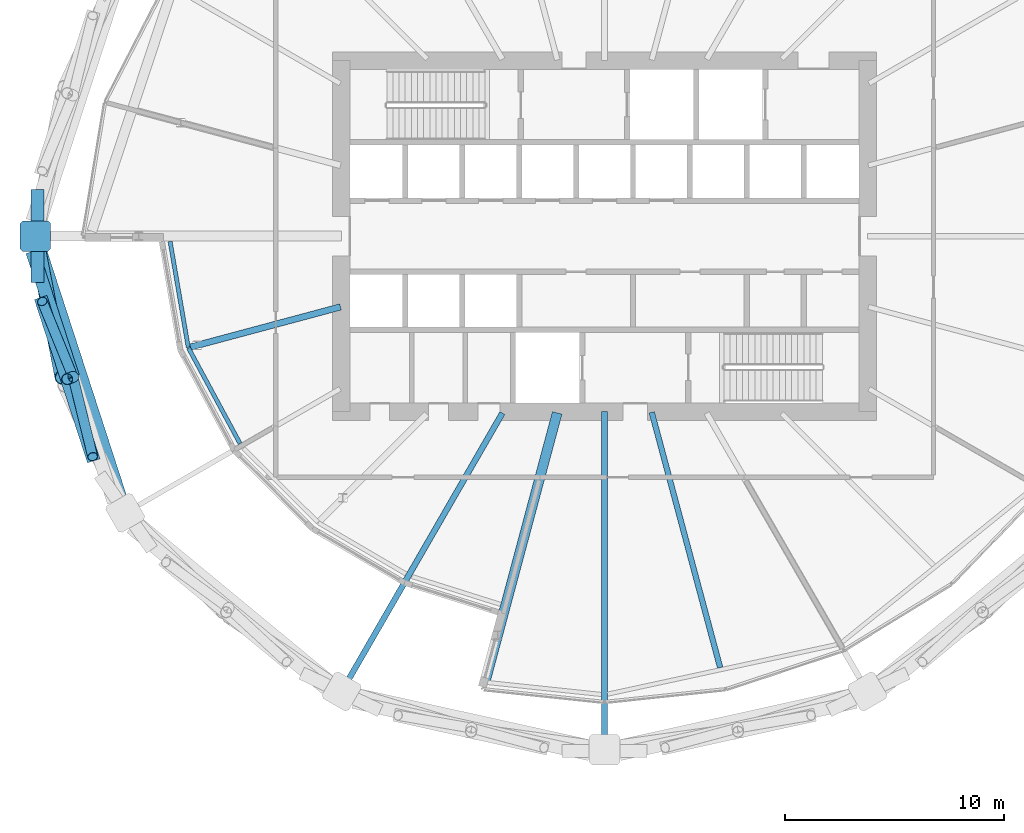
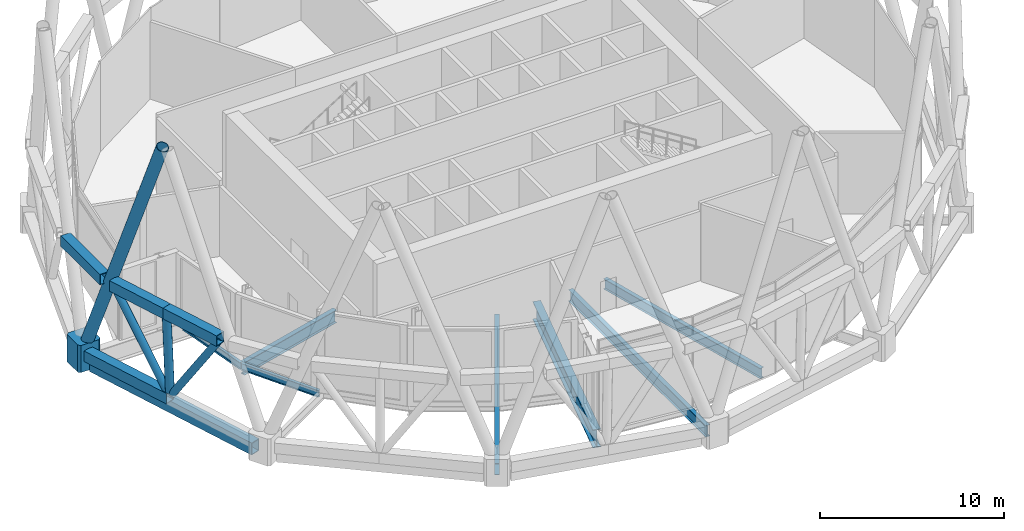
# One storey, part 5 of 33: 9 members, 8 beams.
"""IFC4 building model written with IfcOpenShell, lengths in metres."""

from ifc_helpers import new_model, si_unit, direction, frame, origin, origin_2d, place, context, subcontext, project, spatial, polyline, hollow_rectangle, hollow_circle, i_section, outline, extrude, material, material_profile, profile_set, type_object, element, save


model = new_model("IFC4")

# Units and contexts
model_context = context("Model", 3, precision=1e-05, world=origin(), true_north=direction((0.0, 1.0)))
body_context = subcontext(model_context, "Body", "Model", "MODEL_VIEW")
ifc_project = project(units=[si_unit("LENGTHUNIT", "METRE"), si_unit("AREAUNIT", "SQUARE_METRE"), si_unit("VOLUMEUNIT", "CUBIC_METRE"), si_unit("PLANEANGLEUNIT", "RADIAN"), si_unit("MASSUNIT", "GRAM", prefix="KILO")], contexts=[model_context])

# Site, building, storey
site_placement = place(None, origin())
site = spatial("IfcSite", under=ifc_project, at=site_placement, CompositionType="ELEMENT")
building_placement = place(site_placement, origin())
building = spatial("IfcBuilding", under=site, at=building_placement, Name="Rimbun Link Towers", CompositionType="ELEMENT")
storey_placement = place(building_placement, frame((0.0, 0.0, 75.60009765625)))
storey = spatial("IfcBuildingStorey", under=building, at=storey_placement, Name="L18", CompositionType="ELEMENT", Elevation=75.60009765625)

# Members
ifc_material_1 = material(Name="Steel S460N", Category="steel")
ifc_material_profile_1 = material_profile(ifc_material_1, hollow_rectangle(XDim=0.60009765625, YDim=0.699951171875, WallThickness=0.034912109375, at=origin_2d()), Name="Belt truss chord BOX 600x700x35")
ifc_profile_set_1 = profile_set([ifc_material_profile_1], Name="Steel S460N")
member_type_1 = type_object("IfcMemberType", Name="Belt truss chord BOX 600x700x35", PredefinedType="CHORD", material=ifc_profile_set_1)
member_1_placement = place(storey_placement, frame((-57.614501953125, 2.12451171875, 6.0), z_axis=(0.0, -1.0, 0.0), x_axis=(1.0, 0.0, 0.0)))
element("IfcMember", 1, at=member_1_placement, inside=storey, type_object=member_type_1, Name="Belt truss chord T1 L18 top 06", PredefinedType="CHORD", context=body_context, shape_type="SweptSolid", body=[
    extrude(hollow_rectangle(XDim=0.60009765625, YDim=0.699951171875, WallThickness=0.034912109375, at=origin_2d()), origin(), (0.0, 0.0, 1.0), 4.2490234375),
])
member_2_placement = place(storey_placement, frame((-57.845703125, -0.70263671875, 0.18994140625), z_axis=(0.309112714811, -0.951025409514, 0.0), x_axis=(0.951025409514, 0.309112714811, 0.0)))
element("IfcMember", 2, at=member_2_placement, inside=storey, type_object=member_type_1, Name="Belt truss chord T1 L18 bottom 12", PredefinedType="CHORD", context=body_context, shape_type="SweptSolid", body=[
    extrude(hollow_rectangle(XDim=0.60009765625, YDim=0.699951171875, WallThickness=0.034912109375, at=origin_2d()), origin(), (0.0, 0.0, 1.0), 6.0087890625),
])
member_3_placement = place(storey_placement, frame((-57.46435546875, -2.797607421875, 6.0), z_axis=(0.309055057174, -0.9510441481, 0.0), x_axis=(0.9510441481, 0.309055057174, 0.0)))
element("IfcMember", 3, at=member_3_placement, inside=storey, type_object=member_type_1, Name="Belt truss chord T1 L18 top 24", PredefinedType="CHORD", context=body_context, shape_type="SweptSolid", body=[
    extrude(hollow_rectangle(XDim=0.60009765625, YDim=0.699951171875, WallThickness=0.034912109375, at=origin_2d()), origin(), (0.0, 0.0, 1.0), 3.915771484375),
])
member_4_placement = place(storey_placement, frame((-56.254150390625, -6.521728515625, 6.0), z_axis=(0.309111447647, -0.951025821381, 0.0), x_axis=(0.951025821381, 0.309111447647, 0.0)))
element("IfcMember", 4, at=member_4_placement, inside=storey, type_object=member_type_1, Name="Belt truss chord T1 L18 top 25", PredefinedType="CHORD", context=body_context, shape_type="SweptSolid", body=[
    extrude(hollow_rectangle(XDim=0.60009765625, YDim=0.699951171875, WallThickness=0.034912109375, at=origin_2d()), origin(), (0.0, 0.0, 1.0), 3.916015625),
])
ifc_material_2 = material(Name="Steel S355J2H", Category="steel")
ifc_material_profile_2 = material_profile(ifc_material_2, hollow_circle(Radius=0.228515625, WallThickness=0.01611328125, at=origin_2d()), Name="Belt truss diagonal CHS 457x16")
ifc_profile_set_2 = profile_set([ifc_material_profile_2], Name="Steel S355J2H")
member_type_2 = type_object("IfcMemberType", Name="Belt truss diagonal CHS 457x16", PredefinedType="BRACE", material=ifc_profile_set_2)
member_5_placement = place(storey_placement, frame((-56.062255859375, -6.236328125, 0.480224609375), z_axis=(-0.210764797167, 0.51689863139, 0.829695127828), x_axis=(-0.925981862555, -0.377567994167, 0.0)))
element("IfcMember", 5, at=member_5_placement, inside=storey, type_object=member_type_2, Name="Belt truss diagonal T1 L18 12", PredefinedType="BRACE", context=body_context, shape_type="SweptSolid", body=[
    extrude(hollow_circle(Radius=0.228515625, WallThickness=0.01611328125, at=origin_2d()), origin(), (0.0, 0.0, 1.0), 6.302734375),
])
member_6_placement = place(storey_placement, frame((-55.94140625, -6.608154296875, 0.4794921875), z_axis=(0.134549791341, -0.545227885807, 0.827419425798), x_axis=(0.970874258335, 0.23958959598, 0.0)))
element("IfcMember", 6, at=member_6_placement, inside=storey, type_object=member_type_2, Name="Belt truss diagonal T1 L18 13", PredefinedType="BRACE", context=body_context, shape_type="SweptSolid", body=[
    extrude(hollow_circle(Radius=0.228515625, WallThickness=0.01611328125, at=origin_2d()), origin(), (0.0, 0.0, 1.0), 6.32177734375),
])
ifc_material_3 = material(Name="Steel S355J2H", Category="steel")
ifc_material_profile_3 = material_profile(ifc_material_3, hollow_circle(Radius=0.25390625, WallThickness=0.02001953125, at=origin_2d()), Name="Belt truss strut CHS 508x20")
ifc_profile_set_3 = profile_set([ifc_material_profile_3], Name="Steel S355J2H")
member_type_3 = type_object("IfcMemberType", Name="Belt truss strut CHS 508x20", PredefinedType="STRUT", material=ifc_profile_set_3)
member_7_placement = place(storey_placement, frame((-55.98828125, -6.417236328125, 0.539794921875), z_axis=(-0.051946987184, -0.020416263099, 0.998441128321), x_axis=(0.365784577752, -0.930699544794, 0.0)))
element("IfcMember", 7, at=member_7_placement, inside=storey, type_object=member_type_3, Name="Belt truss strut T1 L18 06", PredefinedType="STRUT", context=body_context, shape_type="SweptSolid", body=[
    extrude(hollow_circle(Radius=0.25390625, WallThickness=0.02001953125, at=origin_2d()), origin(), (0.0, 0.0, 1.0), 5.1181640625),
])
ifc_material_4 = material(Name="Steel S460NH", Category="steel")
ifc_material_profile_4 = material_profile(ifc_material_4, hollow_circle(Radius=0.355712890625, WallThickness=0.031982421875, at=origin_2d()), Name="Diagrid diagonal CHS 711x32")
ifc_profile_set_4 = profile_set([ifc_material_profile_4], Name="Steel S460NH")
member_type_4 = type_object("IfcMemberType", Name="Diagrid diagonal CHS 711x32", PredefinedType="BRACE", material=ifc_profile_set_4)
member_8_placement = place(storey_placement, frame((-57.671630859375, -0.17724609375, 0.46630859375), z_axis=(0.068592129446, -0.354381146913, 0.932581965561), x_axis=(0.981778697984, 0.190027861601, 0.0)))
element("IfcMember", 8, at=member_8_placement, inside=storey, type_object=member_type_4, Name="Diagrid diagonal T1 L18-L22 12b", PredefinedType="BRACE", context=body_context, shape_type="SweptSolid", body=[
    extrude(hollow_circle(Radius=0.355712890625, WallThickness=0.031982421875, at=origin_2d()), origin(), (0.0, 0.0, 1.0), 17.65771484375),
])
ifc_material_5 = material(Name="Cast steel G20Mn5+QT, Rp0.2 300 MPa", Category="steel")
ifc_material_profile_5 = material_profile(ifc_material_5, outline(polyline([(0.699951171875, -0.570068359375), (0.699951171875, 0.570068359375), (0.570068359375, 0.699951171875), (-0.570068359375, 0.699951171875), (-0.699951171875, 0.570068359375), (-0.699951171875, -0.570068359375), (-0.570068359375, -0.699951171875), (0.570068359375, -0.699951171875), (0.699951171875, -0.570068359375)])), Name="NODE 1400x1400")
ifc_profile_set_5 = profile_set([ifc_material_profile_5], Name="Cast steel G20Mn5+QT, Rp0.2 300 MPa")
member_type_5 = type_object("IfcMemberType", Name="Diagrid node cast 1400", PredefinedType="USERDEFINED", material=ifc_profile_set_5)
member_9_placement = place(storey_placement, frame((-57.705810546875, 0.0, -0.900146484375), z_axis=(0.0, 0.0, 1.0), x_axis=(-1.0, 0.0, 0.0)))
element("IfcMember", 9, at=member_9_placement, inside=storey, type_object=member_type_5, Name="Diagrid node L18 12", ObjectType="Diagrid node", PredefinedType="USERDEFINED", context=body_context, shape_type="SweptSolid", body=[
    extrude(outline(polyline([(0.699951171875, -0.570068359375), (0.699951171875, 0.570068359375), (0.570068359375, 0.699951171875), (-0.570068359375, 0.699951171875), (-0.699951171875, 0.570068359375), (-0.699951171875, -0.570068359375), (-0.570068359375, -0.699951171875), (0.570068359375, -0.699951171875), (0.699951171875, -0.570068359375)])), origin(), (0.0, 0.0, 1.0), 1.800048828125),
])

# Beams
ifc_material_6 = material(Name="Steel S355J2", Category="steel")
ifc_material_profile_6 = material_profile(ifc_material_6, hollow_rectangle(XDim=0.60009765625, YDim=0.800048828125, WallThickness=0.0400390625, at=origin_2d()), Name="Exoskeleton ring girder BOX 600x800x40")
ifc_profile_set_6 = profile_set([ifc_material_profile_6], Name="Steel S355J2")
beam_type_1 = type_object("IfcBeamType", Name="Exoskeleton ring girder BOX 600x800x40", PredefinedType="BEAM", material=ifc_profile_set_6)
beam_1_placement = place(storey_placement, frame((-57.489501953125, -0.665771484375, -0.56005859375), z_axis=(0.309072117374, -0.951038603981, 0.0), x_axis=(0.951038603981, 0.309072117374, 0.0)))
element("IfcBeam", 10, at=beam_1_placement, inside=storey, type_object=beam_type_1, Name="Exoskeleton ring girder L18 06", PredefinedType="BEAM", context=body_context, shape_type="SweptSolid", body=[
    extrude(hollow_rectangle(XDim=0.60009765625, YDim=0.800048828125, WallThickness=0.0400390625, at=origin_2d()), origin(), (0.0, 0.0, 1.0), 11.86767578125),
])
ifc_material_7 = material(Name="Steel S355J2", Category="steel")
ifc_material_profile_7 = material_profile(ifc_material_7, i_section(OverallWidth=0.449951171875, OverallDepth=1.199951171875, WebThickness=0.030029296875, FlangeThickness=0.044921875, at=origin_2d()), Name="PG 1200x450x30/45")
ifc_profile_set_7 = profile_set([ifc_material_profile_7], Name="Steel S355J2")
beam_type_2 = type_object("IfcBeamType", Name="PG 1200x450x30/45", PredefinedType="BEAM", material=ifc_profile_set_7)
beam_2_placement = place(storey_placement, frame((-33.909423828125, -8.05908203125, -0.800048828125), z_axis=(-0.258813780214, -0.965927236996, 0.0), x_axis=(0.965927236996, -0.258813780214, 0.0)))
element("IfcBeam", 11, at=beam_2_placement, inside=storey, type_object=beam_type_2, Name="Radial beam T1 L18 17", PredefinedType="BEAM", context=body_context, shape_type="SweptSolid", body=[
    extrude(i_section(OverallWidth=0.449951171875, OverallDepth=1.199951171875, WebThickness=0.030029296875, FlangeThickness=0.044921875, at=origin_2d()), origin(), (0.0, 0.0, 1.0), 12.61767578125),
])
ifc_material_8 = material(Name="Steel S355J2", Category="steel")
ifc_material_profile_8 = material_profile(ifc_material_8, i_section(OverallWidth=0.18994140625, OverallDepth=0.453369140625, WebThickness=0.008544921875, FlangeThickness=0.0126953125, at=origin_2d()), Name="UB 457x191x67")
ifc_profile_set_8 = profile_set([ifc_material_profile_8], Name="Steel S355J2")
beam_type_3 = type_object("IfcBeamType", Name="UB 457x191x67", PredefinedType="BEAM", material=ifc_profile_set_8)
beam_3_placement = place(storey_placement, frame((-51.560791015625, -0.241943359375, -0.4267578125), z_axis=(0.169028840264, -0.985611105436, 0.0), x_axis=(0.985611105436, 0.169028840264, 0.0)))
element("IfcBeam", 12, at=beam_3_placement, inside=storey, type_object=beam_type_3, Name="Edge beam T1 L18 12 recess", PredefinedType="BEAM", context=body_context, shape_type="SweptSolid", body=[
    extrude(i_section(OverallWidth=0.18994140625, OverallDepth=0.453369140625, WebThickness=0.008544921875, FlangeThickness=0.0126953125, at=origin_2d()), origin(), (0.0, 0.0, 1.0), 4.89794921875),
])
beam_4_placement = place(storey_placement, frame((-50.722412109375, -5.100341796875, -0.4267578125), z_axis=(0.47475508165, -0.880117953713, 0.0), x_axis=(0.880117953713, 0.47475508165, 0.0)))
element("IfcBeam", 13, at=beam_4_placement, inside=storey, type_object=beam_type_3, Name="Edge beam T1 L18 13 recess", PredefinedType="BEAM", context=body_context, shape_type="SweptSolid", body=[
    extrude(i_section(OverallWidth=0.18994140625, OverallDepth=0.453369140625, WebThickness=0.008544921875, FlangeThickness=0.0126953125, at=origin_2d()), origin(), (0.0, 0.0, 1.0), 4.95361328125),
])
ifc_material_9 = material(Name="Steel S355J2", Category="steel")
ifc_material_profile_9 = material_profile(ifc_material_9, i_section(OverallWidth=0.253662109375, OverallDepth=0.68359375, WebThickness=0.012451171875, FlangeThickness=0.01904296875, at=origin_2d()), Name="UB 686x254x140")
ifc_profile_set_9 = profile_set([ifc_material_profile_9], Name="Steel S355J2")
beam_type_4 = type_object("IfcBeamType", Name="UB 686x254x140", PredefinedType="BEAM", material=ifc_profile_set_9)
beam_5_placement = place(storey_placement, frame((-29.597412109375, -8.03369140625, -0.5419921875), z_axis=(0.258829908423, -0.965922915406, 0.0), x_axis=(0.965922915406, 0.258829908423, 0.0)))
element("IfcBeam", 14, at=beam_5_placement, inside=storey, type_object=beam_type_4, Name="Radial beam T1 L18 19", PredefinedType="BEAM", context=body_context, shape_type="SweptSolid", body=[
    extrude(i_section(OverallWidth=0.253662109375, OverallDepth=0.68359375, WebThickness=0.012451171875, FlangeThickness=0.01904296875, at=origin_2d()), origin(), (0.0, 0.0, 1.0), 12.052734375),
])
ifc_material_10 = material(Name="Steel S355J2", Category="steel")
ifc_material_profile_10 = material_profile(ifc_material_10, i_section(OverallWidth=0.2666015625, OverallDepth=0.76220703125, WebThickness=0.014404296875, FlangeThickness=0.021484375, at=origin_2d()), Name="UB 762x267x173")
ifc_profile_set_10 = profile_set([ifc_material_profile_10], Name="Steel S355J2")
beam_type_5 = type_object("IfcBeamType", Name="UB 762x267x173", PredefinedType="BEAM", material=ifc_profile_set_10)
beam_6_placement = place(storey_placement, frame((-36.40771484375, -8.0673828125, -0.581298828125), z_axis=(-0.499989137667, -0.866031675065, 0.0), x_axis=(0.866031675065, -0.499989137667, 0.0)))
element("IfcBeam", 15, at=beam_6_placement, inside=storey, type_object=beam_type_5, Name="Radial beam T1 L18 16", PredefinedType="BEAM", context=body_context, shape_type="SweptSolid", body=[
    extrude(i_section(OverallWidth=0.2666015625, OverallDepth=0.76220703125, WebThickness=0.014404296875, FlangeThickness=0.021484375, at=origin_2d()), origin(), (0.0, 0.0, 1.0), 14.158447265625),
])
beam_7_placement = place(storey_placement, frame((-31.75, -8.0009765625, -0.581298828125), z_axis=(0.0, -1.0, 0.0), x_axis=(1.0, 0.0, 0.0)))
element("IfcBeam", 16, at=beam_7_placement, inside=storey, type_object=beam_type_5, Name="Radial beam T1 L18 18", PredefinedType="BEAM", context=body_context, shape_type="SweptSolid", body=[
    extrude(i_section(OverallWidth=0.2666015625, OverallDepth=0.76220703125, WebThickness=0.014404296875, FlangeThickness=0.021484375, at=origin_2d()), origin(), (0.0, 0.0, 1.0), 14.9150390625),
])
ifc_material_11 = material(Name="Steel S355J2", Category="steel")
ifc_material_profile_11 = material_profile(ifc_material_11, i_section(OverallWidth=0.29248046875, OverallDepth=0.8408203125, WebThickness=0.0126953125, FlangeThickness=0.021728515625, at=origin_2d()), Name="UB 838x292x194")
ifc_profile_set_11 = profile_set([ifc_material_profile_11], Name="Steel S355J2")
beam_type_6 = type_object("IfcBeamType", Name="UB 838x292x194", PredefinedType="BEAM", material=ifc_profile_set_11)
beam_8_placement = place(storey_placement, frame((-43.788818359375, -3.225830078125, -0.62060546875), z_axis=(-0.965927916417, -0.258811244512, 0.0), x_axis=(0.258811244512, -0.965927916417, 0.0)))
element("IfcBeam", 17, at=beam_8_placement, inside=storey, type_object=beam_type_6, Name="Radial beam T1 L18 13", PredefinedType="BEAM", context=body_context, shape_type="SweptSolid", body=[
    extrude(i_section(OverallWidth=0.29248046875, OverallDepth=0.8408203125, WebThickness=0.0126953125, FlangeThickness=0.021728515625, at=origin_2d()), origin(), (0.0, 0.0, 1.0), 7.08984375),
])

save(model, "model.ifc")
